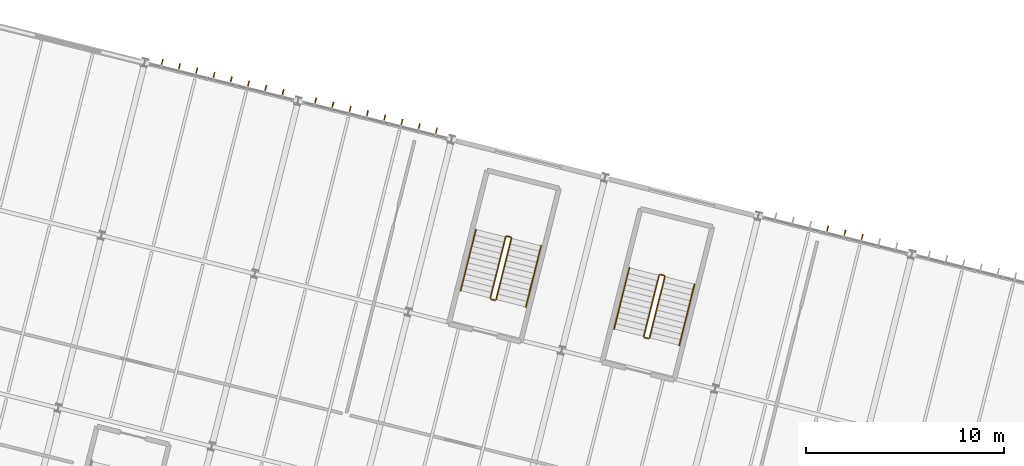
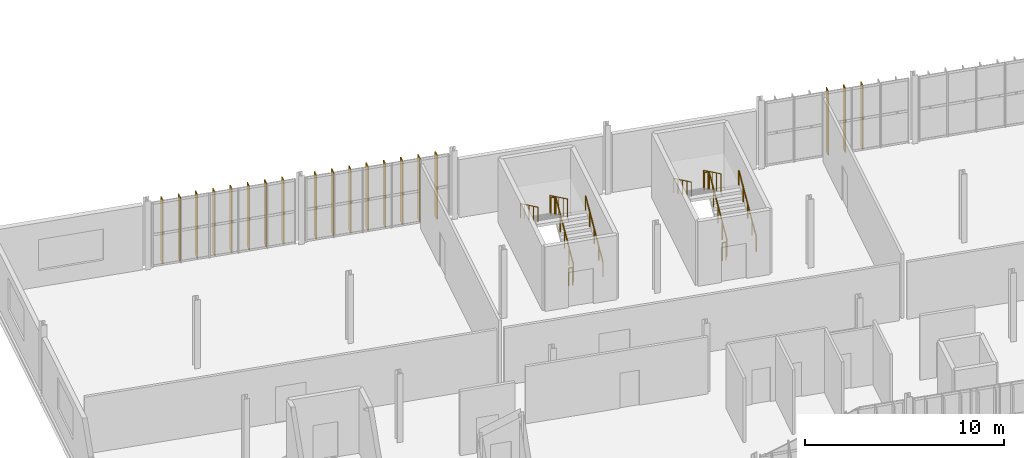
# One storey, part 60 of 61: 19 shading devices, 12 railings.
"""IFC4 building model written with IfcOpenShell, lengths in metres."""

from ifc_helpers import new_model, si_unit, derived_unit, direction, frame, origin, origin_2d, place, context, subcontext, project, spatial, rectangle, circle, extrude, material, layer, layer_set, type_object, element, save


model = new_model("IFC4")

# Units and contexts
model_context = context("Model", 3, precision=1e-05, world=origin(), true_north=direction((0.0, 1.0)))
body_context = subcontext(model_context, "Body", "Model", "MODEL_VIEW")
ifc_project = project(units=[si_unit("LENGTHUNIT", "METRE"), si_unit("AREAUNIT", "SQUARE_METRE"), si_unit("VOLUMEUNIT", "CUBIC_METRE"), si_unit("PLANEANGLEUNIT", "RADIAN"), si_unit("MASSUNIT", "GRAM", prefix="KILO"), si_unit("THERMODYNAMICTEMPERATUREUNIT", "KELVIN"), si_unit("TIMEUNIT", "SECOND"), derived_unit("THERMALTRANSMITTANCEUNIT", [(si_unit("MASSUNIT", "GRAM", prefix="KILO"), 1), (si_unit("THERMODYNAMICTEMPERATUREUNIT", "KELVIN"), -1), (si_unit("TIMEUNIT", "SECOND"), -3)])], contexts=[model_context])

# Site, building, storey
site_placement = place(None, origin())
site = spatial("IfcSite", under=ifc_project, at=site_placement, CompositionType="ELEMENT")
building_placement = place(site_placement, origin())
building = spatial("IfcBuilding", under=site, at=building_placement, Name="Cambertide Market Hall", CompositionType="ELEMENT")
storey_placement = place(building_placement, frame((0.0, 0.0, 9.89990234375)))
storey = spatial("IfcBuildingStorey", under=building, at=storey_placement, Name="L03", CompositionType="ELEMENT", Elevation=9.89990234375)

# Railings
ifc_material_1 = material(Name="Stainless Steel Grade 316", Category="metal")
railing_type_1 = type_object("IfcRailingType", Name="Stair Wall Handrail 900", PredefinedType="HANDRAIL", material=ifc_material_1)
railing_1_placement = place(storey_placement, frame((141.591064453125, 111.908447265625, 0.175048828125)))
element("IfcRailing", 1, at=railing_1_placement, inside=storey, type_object=railing_type_1, Name="Level 3 ST-07B stair handrail 1", PredefinedType="HANDRAIL", context=body_context, shape_type="SweptSolid", body=[
    extrude(circle(Radius=0.02392578125, at=origin_2d()), frame((0.0, 0.0, 0.8759765625), z_axis=(0.207716801579, 0.830605103097, 0.516670971751), x_axis=(-0.970124489852, 0.242607654846, 0.0)), (0.0, 0.0, 1.0), 3.725830078125),
    extrude(circle(Radius=0.02099609375, at=origin_2d()), origin(), (0.0, 0.0, 1.0), 0.851806640625),
    extrude(circle(Radius=0.02099609375, at=origin_2d()), frame((0.193359375, 0.773681640625, 0.481201171875)), (0.0, 0.0, 1.0), 0.851806640625),
    extrude(circle(Radius=0.02099609375, at=origin_2d()), frame((0.386962890625, 1.54736328125, 0.96240234375)), (0.0, 0.0, 1.0), 0.851806640625),
    extrude(circle(Radius=0.02099609375, at=origin_2d()), frame((0.58056640625, 2.321044921875, 1.44384765625)), (0.0, 0.0, 1.0), 0.851806640625),
    extrude(circle(Radius=0.02099609375, at=origin_2d()), frame((0.77392578125, 3.0947265625, 1.925048828125)), (0.0, 0.0, 1.0), 0.851806640625),
])
railing_2_placement = place(storey_placement, frame((139.06640625, 115.827880859375, 2.275146484375)))
element("IfcRailing", 2, at=railing_2_placement, inside=storey, type_object=railing_type_1, Name="Level 3 ST-07B stair handrail 2", PredefinedType="HANDRAIL", context=body_context, shape_type="SweptSolid", body=[
    extrude(circle(Radius=0.02392578125, at=origin_2d()), frame((0.0, 0.0, 0.8759765625), z_axis=(-0.207654101688, -0.830616406754, 0.516678003097), x_axis=(0.970142500145, -0.242535625036, 0.0)), (0.0, 0.0, 1.0), 3.725830078125),
    extrude(circle(Radius=0.02099609375, at=origin_2d()), origin(), (0.0, 0.0, 1.0), 0.851806640625),
    extrude(circle(Radius=0.02099609375, at=origin_2d()), frame((-0.193359375, -0.773681640625, 0.481201171875)), (0.0, 0.0, 1.0), 0.851806640625),
    extrude(circle(Radius=0.02099609375, at=origin_2d()), frame((-0.38671875, -1.54736328125, 0.96240234375)), (0.0, 0.0, 1.0), 0.851806640625),
    extrude(circle(Radius=0.02099609375, at=origin_2d()), frame((-0.580322265625, -2.321044921875, 1.44384765625)), (0.0, 0.0, 1.0), 0.851806640625),
    extrude(circle(Radius=0.02099609375, at=origin_2d()), frame((-0.773681640625, -3.0947265625, 1.925048828125)), (0.0, 0.0, 1.0), 0.851806640625),
])
railing_3_placement = place(storey_placement, frame((149.352294921875, 109.96826171875, 0.175048828125)))
element("IfcRailing", 3, at=railing_3_placement, inside=storey, type_object=railing_type_1, Name="Level 3 ST-09 stair handrail 1", PredefinedType="HANDRAIL", context=body_context, shape_type="SweptSolid", body=[
    extrude(circle(Radius=0.02392578125, at=origin_2d()), frame((0.0, 0.0, 0.8759765625), z_axis=(0.207654101688, 0.830616406754, 0.516678003097), x_axis=(-0.970142500145, 0.242535625036, 0.0)), (0.0, 0.0, 1.0), 3.725830078125),
    extrude(circle(Radius=0.02099609375, at=origin_2d()), origin(), (0.0, 0.0, 1.0), 0.851806640625),
    extrude(circle(Radius=0.02099609375, at=origin_2d()), frame((0.193359375, 0.773681640625, 0.481201171875)), (0.0, 0.0, 1.0), 0.851806640625),
    extrude(circle(Radius=0.02099609375, at=origin_2d()), frame((0.38671875, 1.54736328125, 0.96240234375)), (0.0, 0.0, 1.0), 0.851806640625),
    extrude(circle(Radius=0.02099609375, at=origin_2d()), frame((0.580322265625, 2.321044921875, 1.44384765625)), (0.0, 0.0, 1.0), 0.851806640625),
    extrude(circle(Radius=0.02099609375, at=origin_2d()), frame((0.773681640625, 3.0947265625, 1.925048828125)), (0.0, 0.0, 1.0), 0.851806640625),
])
railing_4_placement = place(storey_placement, frame((146.82763671875, 113.8876953125, 2.275146484375)))
element("IfcRailing", 4, at=railing_4_placement, inside=storey, type_object=railing_type_1, Name="Level 3 ST-09 stair handrail 2", PredefinedType="HANDRAIL", context=body_context, shape_type="SweptSolid", body=[
    extrude(circle(Radius=0.02392578125, at=origin_2d()), frame((0.0, 0.0, 0.8759765625), z_axis=(-0.207642800061, -0.830636723376, 0.516649882766), x_axis=(0.970147001632, -0.242517618378, 0.0)), (0.0, 0.0, 1.0), 3.72607421875),
    extrude(circle(Radius=0.02099609375, at=origin_2d()), origin(), (0.0, 0.0, 1.0), 0.851806640625),
    extrude(circle(Radius=0.02099609375, at=origin_2d()), frame((-0.193359375, -0.773681640625, 0.481201171875)), (0.0, 0.0, 1.0), 0.851806640625),
    extrude(circle(Radius=0.02099609375, at=origin_2d()), frame((-0.38671875, -1.54736328125, 0.96240234375)), (0.0, 0.0, 1.0), 0.851806640625),
    extrude(circle(Radius=0.02099609375, at=origin_2d()), frame((-0.580322265625, -2.3212890625, 1.44384765625)), (0.0, 0.0, 1.0), 0.851806640625),
    extrude(circle(Radius=0.02099609375, at=origin_2d()), frame((-0.773681640625, -3.094970703125, 1.925048828125)), (0.0, 0.0, 1.0), 0.851806640625),
])
ifc_material_2 = material(Name="Stainless Steel Grade 316", Category="metal")
railing_type_2 = type_object("IfcRailingType", Name="Stairwell Inner Guardrail 1100", PredefinedType="GUARDRAIL", material=ifc_material_2)
railing_5_placement = place(storey_placement, frame((140.08740234375, 112.284423828125, 0.175048828125)))
element("IfcRailing", 5, at=railing_5_placement, inside=storey, type_object=railing_type_2, Name="Level 3 ST-07B stair guard 1", PredefinedType="GUARDRAIL", context=body_context, shape_type="SweptSolid", body=[
    extrude(circle(Radius=0.02392578125, at=origin_2d()), frame((0.0, 0.0, 1.076171875), z_axis=(0.207654101688, 0.830616406754, 0.516678003097), x_axis=(-0.970142500145, 0.242535625036, 0.0)), (0.0, 0.0, 1.0), 3.725830078125),
    extrude(circle(Radius=0.02099609375, at=origin_2d()), origin(), (0.0, 0.0, 1.0), 1.052001953125),
    extrude(circle(Radius=0.02099609375, at=origin_2d()), frame((0.193359375, 0.773681640625, 0.481201171875)), (0.0, 0.0, 1.0), 1.052001953125),
    extrude(circle(Radius=0.02099609375, at=origin_2d()), frame((0.38671875, 1.54736328125, 0.96240234375)), (0.0, 0.0, 1.0), 1.052001953125),
    extrude(circle(Radius=0.02099609375, at=origin_2d()), frame((0.580322265625, 2.321044921875, 1.44384765625)), (0.0, 0.0, 1.0), 1.052001953125),
    extrude(circle(Radius=0.02099609375, at=origin_2d()), frame((0.773681640625, 3.0947265625, 1.925048828125)), (0.0, 0.0, 1.0), 1.052001953125),
])
railing_6_placement = place(storey_placement, frame((140.82470703125, 115.439697265625, 2.10009765625)))
element("IfcRailing", 6, at=railing_6_placement, inside=storey, type_object=railing_type_2, Name="Level 3 ST-07B stair guard 2", PredefinedType="GUARDRAIL", context=body_context, shape_type="SweptSolid", body=[
    extrude(circle(Radius=0.02392578125, at=origin_2d()), frame((0.0, 0.0, 1.076171875), z_axis=(-0.969998605015, 0.24311048161, 0.0), x_axis=(-0.24311048161, -0.969998605015, 0.0)), (0.0, 0.0, 1.0), 0.199951171875),
    extrude(circle(Radius=0.02099609375, at=origin_2d()), origin(), (0.0, 0.0, 1.0), 1.052001953125),
    extrude(circle(Radius=0.02099609375, at=origin_2d()), frame((-0.19384765625, 0.048583984375, 0.0)), (0.0, 0.0, 1.0), 1.052001953125),
])
railing_7_placement = place(storey_placement, frame((140.570068359375, 115.451904296875, 2.275146484375)))
element("IfcRailing", 7, at=railing_7_placement, inside=storey, type_object=railing_type_2, Name="Level 3 ST-07B stair guard 3", PredefinedType="GUARDRAIL", context=body_context, shape_type="SweptSolid", body=[
    extrude(circle(Radius=0.02392578125, at=origin_2d()), frame((0.0, 0.0, 1.076171875), z_axis=(-0.207654101688, -0.830616406754, 0.516678003097), x_axis=(0.970142500145, -0.242535625036, 0.0)), (0.0, 0.0, 1.0), 3.725830078125),
    extrude(circle(Radius=0.02099609375, at=origin_2d()), origin(), (0.0, 0.0, 1.0), 1.052001953125),
    extrude(circle(Radius=0.02099609375, at=origin_2d()), frame((-0.193359375, -0.773681640625, 0.481201171875)), (0.0, 0.0, 1.0), 1.052001953125),
    extrude(circle(Radius=0.02099609375, at=origin_2d()), frame((-0.38671875, -1.54736328125, 0.96240234375)), (0.0, 0.0, 1.0), 1.052001953125),
    extrude(circle(Radius=0.02099609375, at=origin_2d()), frame((-0.580322265625, -2.321044921875, 1.44384765625)), (0.0, 0.0, 1.0), 1.052001953125),
    extrude(circle(Radius=0.02099609375, at=origin_2d()), frame((-0.773681640625, -3.0947265625, 1.925048828125)), (0.0, 0.0, 1.0), 1.052001953125),
])
railing_8_placement = place(storey_placement, frame((140.02685546875, 112.248046875, 0.0)))
element("IfcRailing", 8, at=railing_8_placement, inside=storey, type_object=railing_type_2, Name="Level 3 ST-07B stair guard 4", PredefinedType="GUARDRAIL", context=body_context, shape_type="SweptSolid", body=[
    extrude(circle(Radius=0.02392578125, at=origin_2d()), frame((0.0, 0.0, 1.076171875), z_axis=(-0.970070680326, 0.242822723755, 0.0), x_axis=(-0.242822723755, -0.970070680326, 0.0)), (0.0, 0.0, 1.0), 0.2001953125),
    extrude(circle(Radius=0.02099609375, at=origin_2d()), origin(), (0.0, 0.0, 1.0), 1.052001953125),
    extrude(circle(Radius=0.02099609375, at=origin_2d()), frame((-0.194091796875, 0.048583984375, 0.0)), (0.0, 0.0, 1.0), 1.052001953125),
])
railing_9_placement = place(storey_placement, frame((147.8486328125, 110.34423828125, 0.175048828125)))
element("IfcRailing", 9, at=railing_9_placement, inside=storey, type_object=railing_type_2, Name="Level 3 ST-09 stair guard 1", PredefinedType="GUARDRAIL", context=body_context, shape_type="SweptSolid", body=[
    extrude(circle(Radius=0.02392578125, at=origin_2d()), frame((0.0, 0.0, 1.076171875), z_axis=(0.207654101688, 0.830616406754, 0.516678003097), x_axis=(-0.970142500145, 0.242535625036, 0.0)), (0.0, 0.0, 1.0), 3.725830078125),
    extrude(circle(Radius=0.02099609375, at=origin_2d()), origin(), (0.0, 0.0, 1.0), 1.052001953125),
    extrude(circle(Radius=0.02099609375, at=origin_2d()), frame((0.193359375, 0.773681640625, 0.481201171875)), (0.0, 0.0, 1.0), 1.052001953125),
    extrude(circle(Radius=0.02099609375, at=origin_2d()), frame((0.38671875, 1.54736328125, 0.96240234375)), (0.0, 0.0, 1.0), 1.052001953125),
    extrude(circle(Radius=0.02099609375, at=origin_2d()), frame((0.580322265625, 2.321044921875, 1.44384765625)), (0.0, 0.0, 1.0), 1.052001953125),
    extrude(circle(Radius=0.02099609375, at=origin_2d()), frame((0.773681640625, 3.0947265625, 1.925048828125)), (0.0, 0.0, 1.0), 1.052001953125),
])
railing_10_placement = place(storey_placement, frame((148.5859375, 113.49951171875, 2.10009765625)))
element("IfcRailing", 10, at=railing_10_placement, inside=storey, type_object=railing_type_2, Name="Level 3 ST-09 stair guard 2", PredefinedType="GUARDRAIL", context=body_context, shape_type="SweptSolid", body=[
    extrude(circle(Radius=0.02392578125, at=origin_2d()), frame((0.0, 0.0, 1.076171875), z_axis=(-0.970070680326, 0.242822723755, 0.0), x_axis=(-0.242822723755, -0.970070680326, 0.0)), (0.0, 0.0, 1.0), 0.2001953125),
    extrude(circle(Radius=0.02099609375, at=origin_2d()), origin(), (0.0, 0.0, 1.0), 1.052001953125),
    extrude(circle(Radius=0.02099609375, at=origin_2d()), frame((-0.194091796875, 0.048583984375, 0.0)), (0.0, 0.0, 1.0), 1.052001953125),
])
railing_11_placement = place(storey_placement, frame((148.331298828125, 113.51171875, 2.275146484375)))
element("IfcRailing", 11, at=railing_11_placement, inside=storey, type_object=railing_type_2, Name="Level 3 ST-09 stair guard 3", PredefinedType="GUARDRAIL", context=body_context, shape_type="SweptSolid", body=[
    extrude(circle(Radius=0.02392578125, at=origin_2d()), frame((0.0, 0.0, 1.076171875), z_axis=(-0.207654101688, -0.830616406754, 0.516678003097), x_axis=(0.970142500145, -0.242535625036, 0.0)), (0.0, 0.0, 1.0), 3.725830078125),
    extrude(circle(Radius=0.02099609375, at=origin_2d()), origin(), (0.0, 0.0, 1.0), 1.052001953125),
    extrude(circle(Radius=0.02099609375, at=origin_2d()), frame((-0.193359375, -0.773681640625, 0.481201171875)), (0.0, 0.0, 1.0), 1.052001953125),
    extrude(circle(Radius=0.02099609375, at=origin_2d()), frame((-0.38671875, -1.54736328125, 0.96240234375)), (0.0, 0.0, 1.0), 1.052001953125),
    extrude(circle(Radius=0.02099609375, at=origin_2d()), frame((-0.580322265625, -2.321044921875, 1.44384765625)), (0.0, 0.0, 1.0), 1.052001953125),
    extrude(circle(Radius=0.02099609375, at=origin_2d()), frame((-0.773681640625, -3.0947265625, 1.925048828125)), (0.0, 0.0, 1.0), 1.052001953125),
])
railing_12_placement = place(storey_placement, frame((147.7880859375, 110.307861328125, 0.0)))
element("IfcRailing", 12, at=railing_12_placement, inside=storey, type_object=railing_type_2, Name="Level 3 ST-09 stair guard 4", PredefinedType="GUARDRAIL", context=body_context, shape_type="SweptSolid", body=[
    extrude(circle(Radius=0.02392578125, at=origin_2d()), frame((0.0, 0.0, 1.076171875), z_axis=(-0.970357513234, 0.241673946692, 0.0), x_axis=(-0.241673946692, -0.970357513234, 0.0)), (0.0, 0.0, 1.0), 0.199951171875),
    extrude(circle(Radius=0.02099609375, at=origin_2d()), origin(), (0.0, 0.0, 1.0), 1.052001953125),
    extrude(circle(Radius=0.02099609375, at=origin_2d()), frame((-0.194091796875, 0.04833984375, 0.0)), (0.0, 0.0, 1.0), 1.052001953125),
])

# Shading devices
ifc_material_3 = material(Name="Champagne Marine Anodized Aluminium 6063-T6 AA25", Category="aluminium")
ifc_layer = layer(ifc_material_3, 0.054931640625, Name="Wing Facade Vertical Sun Fin 380x55")
ifc_layer_set = layer_set([ifc_layer], Name="Champagne Marine Anodized Aluminium 6063-T6 AA25")
shading_device_type = type_object("IfcShadingDeviceType", Name="Wing Facade Vertical Sun Fin 380x55", PredefinedType="JALOUSIE", material=ifc_layer_set)
for number, where, z_axis, x_axis, name in (
    (13, (123.18505859375, 124.251220703125, 0.000244140625), (0.0, 0.0, 1.0), (0.970142500145, -0.242535625038, 0.0), "CW-V4N-L03-2 Vertical Fin 1"),
    (14, (124.058349609375, 124.032958984375, 0.000244140625), (0.0, 0.0, 1.0), (0.970142500145, -0.242535625038, 0.0), "CW-V4N-L03-2 Vertical Fin 2"),
    (15, (124.931396484375, 123.814453125, 0.000244140625), (0.0, 0.0, 1.0), (0.970142500145, -0.242535625038, 0.0), "CW-V4N-L03-2 Vertical Fin 3"),
    (16, (125.804443359375, 123.59619140625, 0.000244140625), (0.0, 0.0, 1.0), (0.970142500145, -0.242535625038, 0.0), "CW-V4N-L03-2 Vertical Fin 4"),
    (17, (126.677734375, 123.3779296875, 0.000244140625), (0.0, 0.0, 1.0), (0.970142500145, -0.242535625038, 0.0), "CW-V4N-L03-2 Vertical Fin 5"),
    (18, (127.55078125, 123.15966796875, 0.000244140625), (0.0, 0.0, 1.0), (0.970142500145, -0.242535625038, 0.0), "CW-V4N-L03-2 Vertical Fin 6"),
    (19, (128.423828125, 122.94140625, 0.000244140625), (0.0, 0.0, 1.0), (0.970142500145, -0.242535625038, 0.0), "CW-V4N-L03-2 Vertical Fin 7"),
    (20, (129.297119140625, 122.72314453125, 0.000244140625), (0.0, 0.0, 1.0), (0.970142500145, -0.242535625038, 0.0), "CW-V4N-L03-2 Vertical Fin 8"),
    (21, (130.9462890625, 122.310791015625, 0.000244140625), (0.0, 0.0, 1.0), (0.970142500145, -0.242535625038, 0.0), "CW-V4N-L03-3 Vertical Fin 1"),
    (22, (131.8193359375, 122.092529296875, 0.000244140625), (0.0, 0.0, 1.0), (0.970142500145, -0.242535625038, 0.0), "CW-V4N-L03-3 Vertical Fin 2"),
    (23, (132.692626953125, 121.874267578125, 0.000244140625), (0.0, 0.0, 1.0), (0.970142500145, -0.242535625038, 0.0), "CW-V4N-L03-3 Vertical Fin 3"),
    (24, (133.565673828125, 121.656005859375, 0.000244140625), (0.0, 0.0, 1.0), (0.970142500145, -0.242535625038, 0.0), "CW-V4N-L03-3 Vertical Fin 4"),
    (25, (134.438720703125, 121.437744140625, 0.000244140625), (0.0, 0.0, 1.0), (0.970142500145, -0.242535625038, 0.0), "CW-V4N-L03-3 Vertical Fin 5"),
    (26, (135.31201171875, 121.219482421875, 0.000244140625), (0.0, 0.0, 1.0), (0.970142500145, -0.242535625038, 0.0), "CW-V4N-L03-3 Vertical Fin 6"),
    (27, (136.18505859375, 121.001220703125, 0.000244140625), (0.0, 0.0, 1.0), (0.970142500145, -0.242535625038, 0.0), "CW-V4N-L03-3 Vertical Fin 7"),
    (28, (137.05810546875, 120.782958984375, 0.000244140625), (0.0, 0.0, 1.0), (0.970142500145, -0.242535625038, 0.0), "CW-V4N-L03-3 Vertical Fin 8"),
    (29, (156.84912109375, 115.835205078125, 0.000244140625), (0.0, 0.0, 1.0), (0.970142500145, -0.242535625038, 0.0), "CW-V4N-L03-6 Vertical Fin 4"),
    (30, (157.72216796875, 115.616943359375, 0.000244140625), (0.0, 0.0, 1.0), (0.970142500145, -0.242535625038, 0.0), "CW-V4N-L03-6 Vertical Fin 5"),
    (31, (158.595458984375, 115.398681640625, 0.000244140625), (0.0, 0.0, 1.0), (0.970142500145, -0.242535625038, 0.0), "CW-V4N-L03-6 Vertical Fin 6"),
):
    element("IfcShadingDevice", number, at=place(storey_placement, frame(where, z_axis=z_axis, x_axis=x_axis)), inside=storey, type_object=shading_device_type, Name=name, PredefinedType="JALOUSIE", context=body_context, shape_type="SweptSolid", body=[
        extrude(rectangle(XDim=0.054931640625, YDim=0.3798828125, at=origin_2d()), origin(), (0.0, 0.0, 1.0), 3.919921875),
    ])

save(model, "model.ifc")
